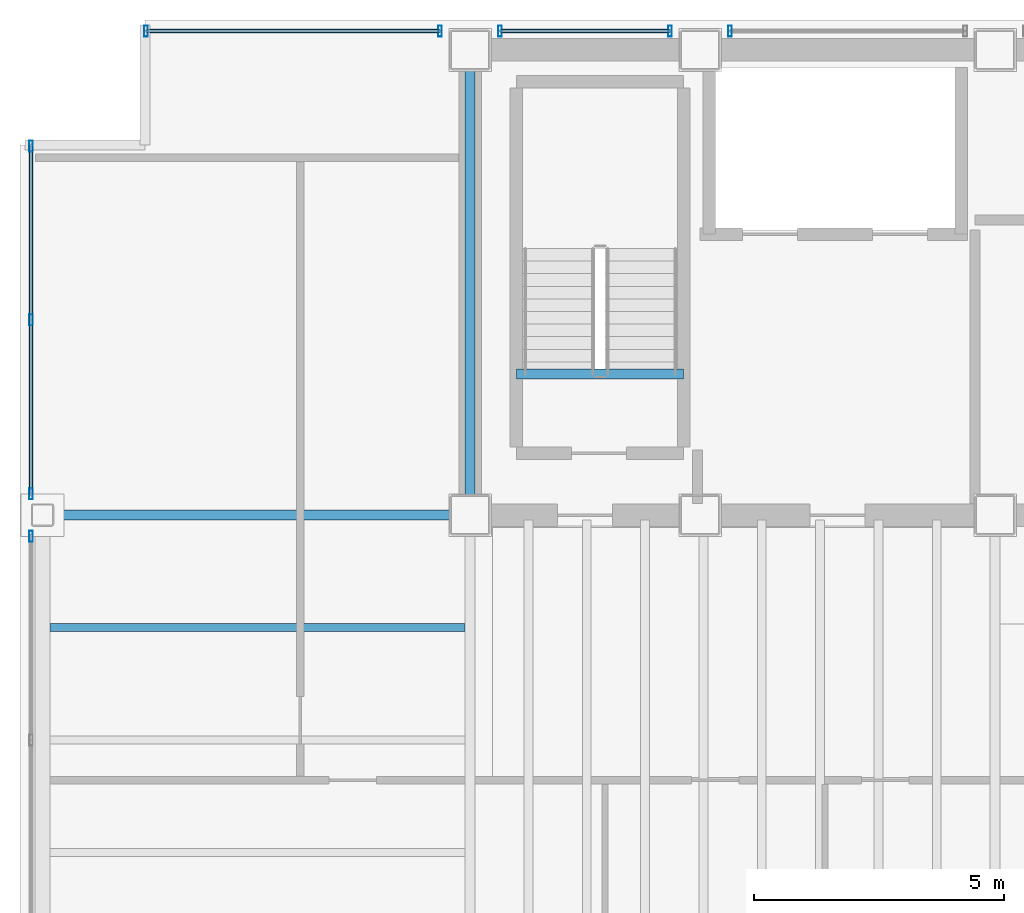
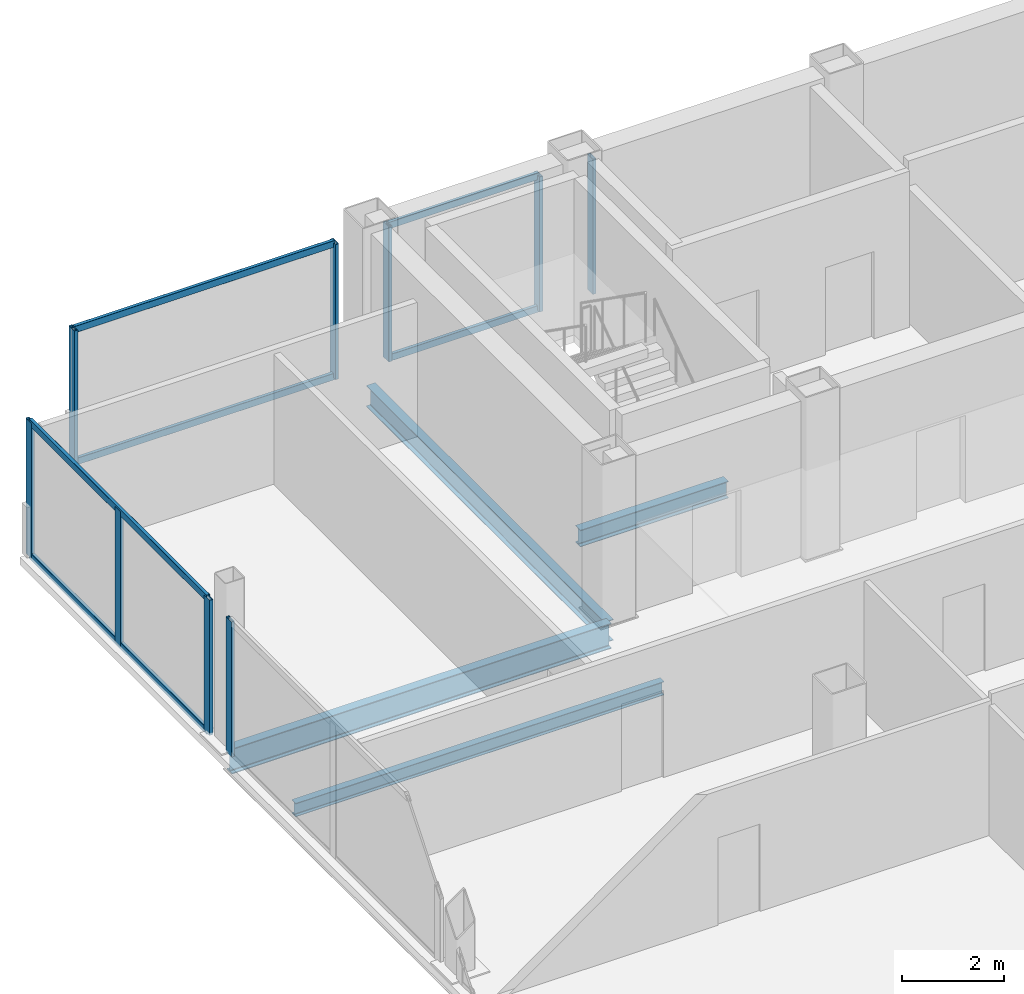
# One storey, part 8 of 17: 15 members, 4 beams, 5 elements without a shape of their own.
"""IFC4 building model written with IfcOpenShell, lengths in metres."""

from ifc_helpers import new_model, si_unit, direction, frame, origin, origin_2d, place, context, subcontext, project, spatial, hollow_rectangle, i_section, extrude, material, material_profile, profile_set, type_object, element, aggregate, save


model = new_model("IFC4")

# Units and contexts
model_context = context("Model", 3, precision=1e-05, world=origin(), true_north=direction((0.0, 1.0)))
body_context = subcontext(model_context, "Body", "Model", "MODEL_VIEW")
ifc_project = project(units=[si_unit("LENGTHUNIT", "METRE"), si_unit("AREAUNIT", "SQUARE_METRE"), si_unit("VOLUMEUNIT", "CUBIC_METRE"), si_unit("PLANEANGLEUNIT", "RADIAN"), si_unit("MASSUNIT", "GRAM", prefix="KILO")], contexts=[model_context])

# Site, building, storey
site_placement = place(None, origin())
site = spatial("IfcSite", under=ifc_project, at=site_placement, CompositionType="ELEMENT")
building_placement = place(site_placement, origin())
building = spatial("IfcBuilding", under=site, at=building_placement, Name="Noeulbin Bourse Tower", CompositionType="ELEMENT")
storey_placement = place(building_placement, frame((0.0, 0.0, 250.10009765625)))
storey = spatial("IfcBuildingStorey", under=building, at=storey_placement, Name="L62", CompositionType="ELEMENT", Elevation=250.10009765625)

# Beams
ifc_material_1 = material(Name="Steel S355", Category="steel")
ifc_material_profile_1 = material_profile(ifc_material_1, i_section(OverallWidth=0.199951171875, OverallDepth=0.5, WebThickness=0.010009765625, FlangeThickness=0.01611328125, FilletRadius=0.02001953125, at=origin_2d()), Name="H-500x200x10x16", Category="LoadBearing")
ifc_profile_set_1 = profile_set([ifc_material_profile_1], Name="Steel S355")
beam_type_1 = type_object("IfcBeamType", Name="BM-GRD-500", PredefinedType="USERDEFINED", material=ifc_profile_set_1)
beam_1_placement = place(storey_placement, frame((13.5, 29.0, -0.43017578125), z_axis=(0.0, 1.0, 0.0), x_axis=(-1.0, 0.0, 0.0)))
element("IfcBeam", 1, at=beam_1_placement, inside=storey, type_object=beam_type_1, Name="Tower Primary Girder NS L62-1.3", ObjectType="GIRDER", PredefinedType="USERDEFINED", context=body_context, shape_type="SweptSolid", body=[
    extrude(i_section(OverallWidth=0.199951171875, OverallDepth=0.5, WebThickness=0.010009765625, FlangeThickness=0.01611328125, FilletRadius=0.02001953125, at=origin_2d()), origin(), (0.0, 0.0, 1.0), 9.300048828125),
])
ifc_material_profile_2 = material_profile(ifc_material_1, i_section(OverallWidth=0.199951171875, OverallDepth=0.60009765625, WebThickness=0.010986328125, FlangeThickness=0.01708984375, FilletRadius=0.02197265625, at=origin_2d()), Name="H-600x200x11x17", Category="LoadBearing")
ifc_profile_set_2 = profile_set([ifc_material_profile_2], Name="Steel S355")
beam_type_2 = type_object("IfcBeamType", Name="BM-GRD-600", PredefinedType="USERDEFINED", material=ifc_profile_set_2)
beam_2_placement = place(storey_placement, frame((4.949951171875, 29.0, -0.47998046875), z_axis=(1.0, 0.0, 0.0), x_axis=(0.0, 1.0, 0.0)))
element("IfcBeam", 2, at=beam_2_placement, inside=storey, type_object=beam_type_2, Name="Tower Primary Girder EW L62-2.1", ObjectType="GIRDER", PredefinedType="USERDEFINED", context=body_context, shape_type="SweptSolid", body=[
    extrude(i_section(OverallWidth=0.199951171875, OverallDepth=0.60009765625, WebThickness=0.010986328125, FlangeThickness=0.01708984375, FilletRadius=0.02197265625, at=origin_2d()), origin(), (0.0, 0.0, 1.0), 8.550048828125),
])
ifc_material_profile_3 = material_profile(ifc_material_1, i_section(OverallWidth=0.159912109375, OverallDepth=0.320068359375, WebThickness=0.006591796875, FlangeThickness=0.010009765625, FilletRadius=0.012939453125, at=origin_2d()), Name="H-320x160x6.5x10", Category="LoadBearing")
ifc_profile_set_3 = profile_set([ifc_material_profile_3], Name="Steel S355")
beam_type_3 = type_object("IfcBeamType", Name="BM-JST-320", PredefinedType="JOIST", material=ifc_profile_set_3)
beam_3_placement = place(storey_placement, frame((5.10009765625, 26.75, -0.340087890625), z_axis=(1.0, 0.0, 0.0), x_axis=(0.0, 1.0, 0.0)))
element("IfcBeam", 3, at=beam_3_placement, inside=storey, type_object=beam_type_3, Name="Wing Composite Joist L62-W39", PredefinedType="JOIST", context=body_context, shape_type="SweptSolid", body=[
    extrude(i_section(OverallWidth=0.159912109375, OverallDepth=0.320068359375, WebThickness=0.006591796875, FlangeThickness=0.010009765625, FilletRadius=0.012939453125, at=origin_2d()), origin(), (0.0, 0.0, 1.0), 8.2998046875),
])
ifc_material_profile_4 = material_profile(ifc_material_1, i_section(OverallWidth=0.199951171875, OverallDepth=0.39990234375, WebThickness=0.008056640625, FlangeThickness=0.012939453125, FilletRadius=0.01611328125, at=origin_2d()), Name="H-400x200x8x13", Category="LoadBearing")
ifc_profile_set_4 = profile_set([ifc_material_profile_4], Name="Steel S355")
beam_type_4 = type_object("IfcBeamType", Name="BM-SEC-400", PredefinedType="BEAM", material=ifc_profile_set_4)
beam_4_placement = place(storey_placement, frame((14.429931640625, 31.820068359375, -0.2001953125), z_axis=(1.0, 0.0, 0.0), x_axis=(0.0, 1.0, 0.0)))
element("IfcBeam", 4, at=beam_4_placement, inside=storey, type_object=beam_type_4, Name="Stair Threshold Trimmer Beam ST1-L62", PredefinedType="BEAM", context=body_context, shape_type="SweptSolid", body=[
    extrude(i_section(OverallWidth=0.199951171875, OverallDepth=0.39990234375, WebThickness=0.008056640625, FlangeThickness=0.012939453125, FilletRadius=0.01611328125, at=origin_2d()), origin(), (0.0, 0.0, 1.0), 3.340087890625),
])

# Curtain wall, members
ifc_material_2 = material(Name="High-Selectivity Low-Iron Glazing", Category="glass")
curtain_wall_type = type_object("IfcCurtainWallType", Name="CW-SYS-4", PredefinedType="NOTDEFINED", material=ifc_material_2)
curtain_wall_1_placement = place(storey_placement, origin())
curtain_wall_1 = element("IfcCurtainWall", 5, at=curtain_wall_1_placement, inside=storey, type_object=curtain_wall_type, Name="Unitised Curtain Wall CW-L62-N-S1", PredefinedType="NOTDEFINED")
ifc_material_3 = material(Name="Anodised Aluminium 6063-T6", Category="aluminium")
ifc_material_profile_5 = material_profile(ifc_material_3, hollow_rectangle(XDim=0.074951171875, YDim=0.219970703125, WallThickness=0.0048828125, InnerFilletRadius=0.00244140625, OuterFilletRadius=0.0048828125, at=origin_2d()), Name="ALU-MULL-75x220x5", Category="LoadBearing")
ifc_profile_set_5 = profile_set([ifc_material_profile_5], Name="Anodised Aluminium 6063-T6")
member_type_1 = type_object("IfcMemberType", Name="CW-SYS-4-MUL", PredefinedType="MULLION", material=ifc_profile_set_5)
member_1_placement = place(storey_placement, frame((7.02001953125, 38.679931640625, -0.02001953125), z_axis=(0.0, 0.0, 1.0), x_axis=(1.0, 0.0, 0.0)))
member_1 = element("IfcMember", 6, at=member_1_placement, type_object=member_type_1, Name="Curtain Wall Mullion CW-L62-N-S1-M00", PredefinedType="MULLION", context=body_context, shape_type="SweptSolid", body=[
    extrude(hollow_rectangle(XDim=0.074951171875, YDim=0.219970703125, WallThickness=0.0048828125, InnerFilletRadius=0.00244140625, OuterFilletRadius=0.0048828125, at=origin_2d()), origin(), (0.0, 0.0, 1.0), 3.219970703125),
])
member_2_placement = place(storey_placement, frame((12.89990234375, 38.679931640625, -0.02001953125), z_axis=(0.0, 0.0, 1.0), x_axis=(1.0, 0.0, 0.0)))
member_2 = element("IfcMember", 7, at=member_2_placement, type_object=member_type_1, Name="Curtain Wall Mullion CW-L62-N-S1-M01", PredefinedType="MULLION", context=body_context, shape_type="SweptSolid", body=[
    extrude(hollow_rectangle(XDim=0.074951171875, YDim=0.219970703125, WallThickness=0.0048828125, InnerFilletRadius=0.00244140625, OuterFilletRadius=0.0048828125, at=origin_2d()), origin(), (0.0, 0.0, 1.0), 3.219970703125),
])

curtain_wall_2_placement = place(storey_placement, origin())
curtain_wall_2 = element("IfcCurtainWall", 8, at=curtain_wall_2_placement, inside=storey, type_object=curtain_wall_type, Name="Unitised Curtain Wall CW-L62-N-S2", PredefinedType="NOTDEFINED")
member_3_placement = place(storey_placement, frame((14.10009765625, 38.679931640625, -0.02001953125), z_axis=(0.0, 0.0, 1.0), x_axis=(1.0, 0.0, 0.0)))
member_3 = element("IfcMember", 9, at=member_3_placement, type_object=member_type_1, Name="Curtain Wall Mullion CW-L62-N-S2-M00", PredefinedType="MULLION", context=body_context, shape_type="SweptSolid", body=[
    extrude(hollow_rectangle(XDim=0.074951171875, YDim=0.219970703125, WallThickness=0.0048828125, InnerFilletRadius=0.00244140625, OuterFilletRadius=0.0048828125, at=origin_2d()), origin(), (0.0, 0.0, 1.0), 3.219970703125),
])
member_4_placement = place(storey_placement, frame((17.5, 38.679931640625, -0.02001953125), z_axis=(0.0, 0.0, 1.0), x_axis=(1.0, 0.0, 0.0)))
member_4 = element("IfcMember", 10, at=member_4_placement, type_object=member_type_1, Name="Curtain Wall Mullion CW-L62-N-S2-M01", PredefinedType="MULLION", context=body_context, shape_type="SweptSolid", body=[
    extrude(hollow_rectangle(XDim=0.074951171875, YDim=0.219970703125, WallThickness=0.0048828125, InnerFilletRadius=0.00244140625, OuterFilletRadius=0.0048828125, at=origin_2d()), origin(), (0.0, 0.0, 1.0), 3.219970703125),
])

# Curtain wall, member
curtain_wall_3_placement = place(storey_placement, origin())
curtain_wall_3 = element("IfcCurtainWall", 11, at=curtain_wall_3_placement, inside=storey, type_object=curtain_wall_type, Name="Unitised Curtain Wall CW-L62-N-S3", PredefinedType="NOTDEFINED")
member_5_placement = place(storey_placement, frame((18.699951171875, 38.679931640625, -0.02001953125), z_axis=(0.0, 0.0, 1.0), x_axis=(1.0, 0.0, 0.0)))
member_5 = element("IfcMember", 12, at=member_5_placement, type_object=member_type_1, Name="Curtain Wall Mullion CW-L62-N-S3-M00", PredefinedType="MULLION", context=body_context, shape_type="SweptSolid", body=[
    extrude(hollow_rectangle(XDim=0.074951171875, YDim=0.219970703125, WallThickness=0.0048828125, InnerFilletRadius=0.00244140625, OuterFilletRadius=0.0048828125, at=origin_2d()), origin(), (0.0, 0.0, 1.0), 3.219970703125),
])
aggregate(curtain_wall_3, [member_5])

curtain_wall_4_placement = place(storey_placement, origin())
curtain_wall_4 = element("IfcCurtainWall", 13, at=curtain_wall_4_placement, inside=storey, type_object=curtain_wall_type, Name="Unitised Curtain Wall CW-L62-W-S2", PredefinedType="NOTDEFINED")
member_6_placement = place(storey_placement, frame((4.719970703125, 28.574951171875, -0.02001953125), z_axis=(0.0, 0.0, 1.0), x_axis=(1.0, 0.0, 0.0)))
member_6 = element("IfcMember", 14, at=member_6_placement, type_object=member_type_1, Name="Curtain Wall Mullion CW-L62-W-S2-M02", PredefinedType="MULLION", context=body_context, shape_type="SweptSolid", body=[
    extrude(hollow_rectangle(XDim=0.074951171875, YDim=0.219970703125, WallThickness=0.0048828125, InnerFilletRadius=0.00244140625, OuterFilletRadius=0.0048828125, at=origin_2d()), origin(), (0.0, 0.0, 1.0), 3.219970703125),
])
aggregate(curtain_wall_4, [member_6])

# Curtain wall, members
curtain_wall_5_placement = place(storey_placement, origin())
curtain_wall_5 = element("IfcCurtainWall", 15, at=curtain_wall_5_placement, inside=storey, type_object=curtain_wall_type, Name="Unitised Curtain Wall CW-L62-W-S3", PredefinedType="NOTDEFINED")
member_7_placement = place(storey_placement, frame((4.719970703125, 29.425048828125, -0.02001953125), z_axis=(0.0, 0.0, 1.0), x_axis=(1.0, 0.0, 0.0)))
member_7 = element("IfcMember", 16, at=member_7_placement, type_object=member_type_1, Name="Curtain Wall Mullion CW-L62-W-S3-M00", PredefinedType="MULLION", context=body_context, shape_type="SweptSolid", body=[
    extrude(hollow_rectangle(XDim=0.074951171875, YDim=0.219970703125, WallThickness=0.0048828125, InnerFilletRadius=0.00244140625, OuterFilletRadius=0.0048828125, at=origin_2d()), origin(), (0.0, 0.0, 1.0), 3.219970703125),
])
member_8_placement = place(storey_placement, frame((4.719970703125, 32.902587890625, -0.02001953125), z_axis=(0.0, 0.0, 1.0), x_axis=(1.0, 0.0, 0.0)))
member_8 = element("IfcMember", 17, at=member_8_placement, type_object=member_type_1, Name="Curtain Wall Mullion CW-L62-W-S3-M01", PredefinedType="MULLION", context=body_context, shape_type="SweptSolid", body=[
    extrude(hollow_rectangle(XDim=0.074951171875, YDim=0.219970703125, WallThickness=0.0048828125, InnerFilletRadius=0.00244140625, OuterFilletRadius=0.0048828125, at=origin_2d()), origin(), (0.0, 0.0, 1.0), 3.219970703125),
])
member_9_placement = place(storey_placement, frame((4.719970703125, 36.3798828125, -0.02001953125), z_axis=(0.0, 0.0, 1.0), x_axis=(1.0, 0.0, 0.0)))
member_9 = element("IfcMember", 18, at=member_9_placement, type_object=member_type_1, Name="Curtain Wall Mullion CW-L62-W-S3-M02", PredefinedType="MULLION", context=body_context, shape_type="SweptSolid", body=[
    extrude(hollow_rectangle(XDim=0.074951171875, YDim=0.219970703125, WallThickness=0.0048828125, InnerFilletRadius=0.00244140625, OuterFilletRadius=0.0048828125, at=origin_2d()), origin(), (0.0, 0.0, 1.0), 3.219970703125),
])

# Member
ifc_material_profile_6 = material_profile(ifc_material_3, hollow_rectangle(XDim=0.074951171875, YDim=0.159912109375, WallThickness=0.0048828125, InnerFilletRadius=0.00244140625, OuterFilletRadius=0.0048828125, at=origin_2d()), Name="ALU-TRAN-75x160x5", Category="LoadBearing")
ifc_profile_set_6 = profile_set([ifc_material_profile_6], Name="Anodised Aluminium 6063-T6")
member_type_2 = type_object("IfcMemberType", Name="CW-SYS-4-TRN", PredefinedType="USERDEFINED", material=ifc_profile_set_6)
member_10_placement = place(storey_placement, frame((7.030029296875, 38.679931640625, 0.010009765625), z_axis=(1.0, 0.0, 0.0), x_axis=(0.0, 1.0, 0.0)))
member_10 = element("IfcMember", 19, at=member_10_placement, type_object=member_type_2, Name="Curtain Wall Transom CW-L62-N-S1-T00", ObjectType="TRANSOM", PredefinedType="USERDEFINED", context=body_context, shape_type="SweptSolid", body=[
    extrude(hollow_rectangle(XDim=0.074951171875, YDim=0.159912109375, WallThickness=0.0048828125, InnerFilletRadius=0.00244140625, OuterFilletRadius=0.0048828125, at=origin_2d()), origin(), (0.0, 0.0, 1.0), 5.85986328125),
])

member_11_placement = place(storey_placement, frame((7.030029296875, 38.679931640625, 3.169921875), z_axis=(1.0, 0.0, 0.0), x_axis=(0.0, 1.0, 0.0)))
member_11 = element("IfcMember", 20, at=member_11_placement, type_object=member_type_2, Name="Curtain Wall Transom CW-L62-N-S1-T01", ObjectType="TRANSOM", PredefinedType="USERDEFINED", context=body_context, shape_type="SweptSolid", body=[
    extrude(hollow_rectangle(XDim=0.074951171875, YDim=0.159912109375, WallThickness=0.0048828125, InnerFilletRadius=0.00244140625, OuterFilletRadius=0.0048828125, at=origin_2d()), origin(), (0.0, 0.0, 1.0), 5.85986328125),
])

aggregate(curtain_wall_1, [member_1, member_2, member_10, member_11])

member_12_placement = place(storey_placement, frame((14.110107421875, 38.679931640625, 0.010009765625), z_axis=(1.0, 0.0, 0.0), x_axis=(0.0, 1.0, 0.0)))
member_12 = element("IfcMember", 21, at=member_12_placement, type_object=member_type_2, Name="Curtain Wall Transom CW-L62-N-S2-T00", ObjectType="TRANSOM", PredefinedType="USERDEFINED", context=body_context, shape_type="SweptSolid", body=[
    extrude(hollow_rectangle(XDim=0.074951171875, YDim=0.159912109375, WallThickness=0.0048828125, InnerFilletRadius=0.00244140625, OuterFilletRadius=0.0048828125, at=origin_2d()), origin(), (0.0, 0.0, 1.0), 3.3798828125),
])

member_13_placement = place(storey_placement, frame((14.110107421875, 38.679931640625, 3.169921875), z_axis=(1.0, 0.0, 0.0), x_axis=(0.0, 1.0, 0.0)))
member_13 = element("IfcMember", 22, at=member_13_placement, type_object=member_type_2, Name="Curtain Wall Transom CW-L62-N-S2-T01", ObjectType="TRANSOM", PredefinedType="USERDEFINED", context=body_context, shape_type="SweptSolid", body=[
    extrude(hollow_rectangle(XDim=0.074951171875, YDim=0.159912109375, WallThickness=0.0048828125, InnerFilletRadius=0.00244140625, OuterFilletRadius=0.0048828125, at=origin_2d()), origin(), (0.0, 0.0, 1.0), 3.3798828125),
])

aggregate(curtain_wall_2, [member_3, member_4, member_12, member_13])

member_14_placement = place(storey_placement, frame((4.719970703125, 29.43505859375, 0.010009765625), z_axis=(0.0, 1.0, 0.0), x_axis=(-1.0, 0.0, 0.0)))
member_14 = element("IfcMember", 23, at=member_14_placement, type_object=member_type_2, Name="Curtain Wall Transom CW-L62-W-S3-T00", ObjectType="TRANSOM", PredefinedType="USERDEFINED", context=body_context, shape_type="SweptSolid", body=[
    extrude(hollow_rectangle(XDim=0.074951171875, YDim=0.159912109375, WallThickness=0.0048828125, InnerFilletRadius=0.00244140625, OuterFilletRadius=0.0048828125, at=origin_2d()), origin(), (0.0, 0.0, 1.0), 6.93505859375),
])

member_15_placement = place(storey_placement, frame((4.719970703125, 29.43505859375, 3.169921875), z_axis=(0.0, 1.0, 0.0), x_axis=(-1.0, 0.0, 0.0)))
member_15 = element("IfcMember", 24, at=member_15_placement, type_object=member_type_2, Name="Curtain Wall Transom CW-L62-W-S3-T01", ObjectType="TRANSOM", PredefinedType="USERDEFINED", context=body_context, shape_type="SweptSolid", body=[
    extrude(hollow_rectangle(XDim=0.074951171875, YDim=0.159912109375, WallThickness=0.0048828125, InnerFilletRadius=0.00244140625, OuterFilletRadius=0.0048828125, at=origin_2d()), origin(), (0.0, 0.0, 1.0), 6.93505859375),
])

aggregate(curtain_wall_5, [member_7, member_8, member_9, member_14, member_15])

save(model, "model.ifc")
